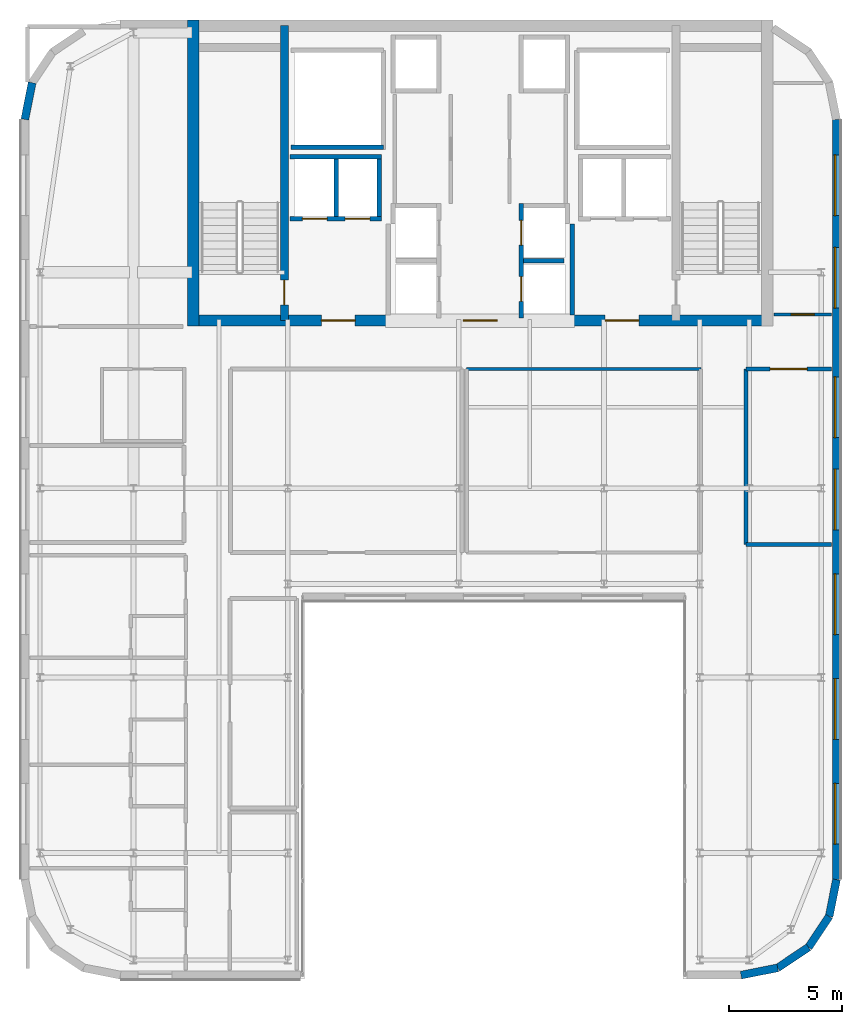
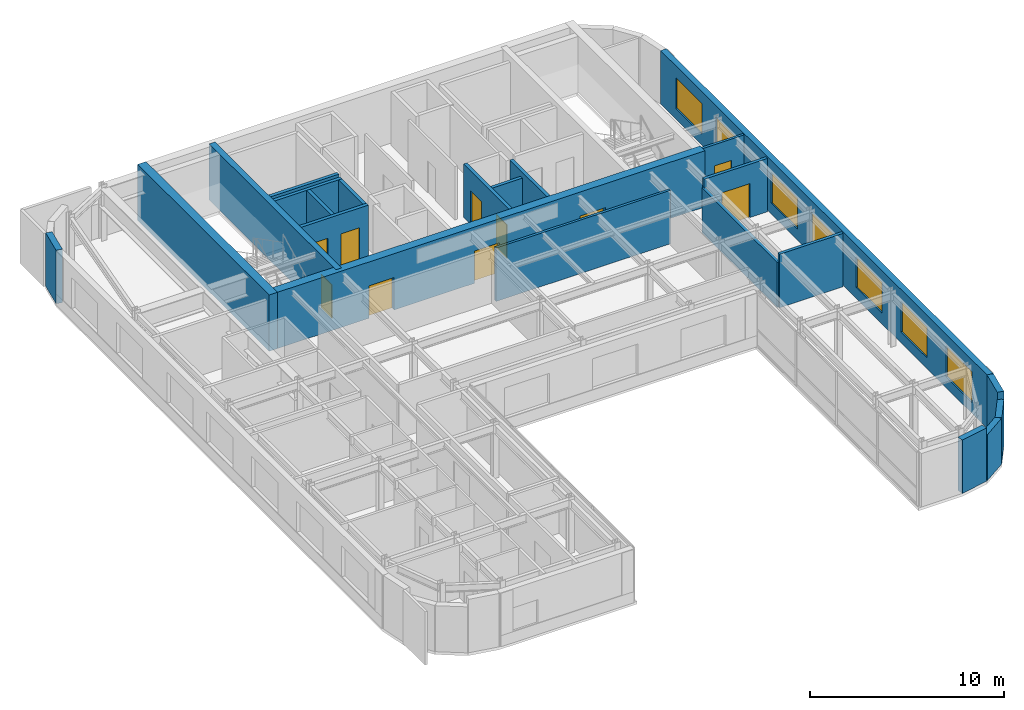
# One storey, part 15 of 20: 22 walls, 10 doors, 7 windows, 17 openings.
"""IFC4 building model written with IfcOpenShell, lengths in metres."""

import ifcopenshell
import ifcopenshell.guid

model = None  # the IFC model being written
_history = None  # IfcOwnerHistory: only IFC2X3 demands one
_inside = {}  # id of a spatial element -> (the spatial element, [elements in it])
_under = {}  # id of a project, library or spatial element -> (it, [spatial elements below it])
_declared = {}  # id of a project -> (the project, [libraries it declares])
_typed = {}  # id of a type object -> (the type object, [elements of that type])
_made_of = {}  # id of a material, layer set ... -> (it, [elements and type objects made of it])


def new_model(schema):
    """Start an empty IFC model of exactly this schema.

    Asked for "IFC4X3", IfcOpenShell would pick the latest addendum, in which some entities
    have other attributes; the version numbers below select the first issue.
    IFC2X3 requires an IfcOwnerHistory on every rooted entity: one is made here for all.
    """
    global model, _history
    if schema == "IFC4X3":
        model = ifcopenshell.file(schema_version=(4, 3, 0, 0))
    else:
        model = ifcopenshell.file(schema=schema)
    _inside.clear()
    _under.clear()
    _declared.clear()
    _typed.clear()
    _made_of.clear()
    _history = None
    if model.schema == "IFC2X3":
        org = make("IfcOrganization", Name="unknown")
        user = make(
            "IfcPersonAndOrganization",
            ThePerson=make("IfcPerson", FamilyName="unknown"),
            TheOrganization=org,
        )
        app = make(
            "IfcApplication",
            ApplicationDeveloper=org,
            Version="unknown",
            ApplicationFullName="unknown",
            ApplicationIdentifier="unknown",
        )
        _history = make(
            "IfcOwnerHistory",
            OwningUser=user,
            OwningApplication=app,
            ChangeAction="ADDED",
            CreationDate=0,
        )
    return model


def make(cls, **values):
    """One entity of the class cls with the attributes given. An attribute that is None is left unset."""
    return model.create_entity(
        cls, **{name: value for name, value in values.items() if value is not None}
    )


def rooted(cls, **values):
    """An entity with a GlobalId (a new one), such as an element, a storey or a relation."""
    return make(cls, GlobalId=ifcopenshell.guid.new(), OwnerHistory=_history, **values)


def si_unit(unit_type, name, prefix=None):
    """IfcSIUnit, for example si_unit("LENGTHUNIT", "METRE", prefix="MILLI")."""
    return make("IfcSIUnit", UnitType=unit_type, Prefix=prefix, Name=name)


def assignment(units):
    """IfcUnitAssignment: the units of a project."""
    return None if units is None else make("IfcUnitAssignment", Units=units)


def point(xyz):
    """IfcCartesianPoint."""
    return None if xyz is None else make("IfcCartesianPoint", Coordinates=xyz)


def direction(xyz):
    """IfcDirection."""
    return None if xyz is None else make("IfcDirection", DirectionRatios=xyz)


def frame(location, z_axis=None, x_axis=None):
    """IfcAxis2Placement3D, a coordinate frame: its origin and axes. An axis left out is left unset."""
    return make(
        "IfcAxis2Placement3D",
        Location=point(location),
        Axis=direction(z_axis),
        RefDirection=direction(x_axis),
    )


def frame_2d(location, x_axis=None):
    """IfcAxis2Placement2D, a coordinate frame in the plane: its origin and x axis."""
    return make(
        "IfcAxis2Placement2D", Location=point(location), RefDirection=direction(x_axis)
    )


def origin():
    """The frame at (0, 0, 0) with its axes left unset."""
    return frame((0.0, 0.0, 0.0))


def place(relative_to, where):
    """IfcLocalPlacement: puts the frame where relative to a parent placement (None: the world)."""
    return make(
        "IfcLocalPlacement", PlacementRelTo=relative_to, RelativePlacement=where
    )


def context(
    kind, dimensions, precision=None, world=None, true_north=None, identifier=None
):
    """IfcGeometricRepresentationContext, for example the 3D "Model" context."""
    return make(
        "IfcGeometricRepresentationContext",
        ContextIdentifier=identifier,
        ContextType=kind,
        CoordinateSpaceDimension=dimensions,
        Precision=precision,
        WorldCoordinateSystem=world,
        TrueNorth=true_north,
    )


def subcontext(parent, identifier, kind, view, scale=None):
    """IfcGeometricRepresentationSubContext, for example "Body" below "Model"."""
    return make(
        "IfcGeometricRepresentationSubContext",
        ContextIdentifier=identifier,
        ContextType=kind,
        ParentContext=parent,
        TargetScale=scale,
        TargetView=view,
    )


def project(units=None, contexts=None):
    """IfcProject with its units and contexts."""
    return rooted(
        "IfcProject",
        Name="project",
        RepresentationContexts=contexts,
        UnitsInContext=assignment(units),
    )


def spatial(cls, under=None, at=None, **own):
    """A site, building, storey or space (cls), placed at a placement, below another one or the project."""
    s = rooted(cls, ObjectPlacement=at, **own)
    if under is not None:
        _under.setdefault(under.id(), (under, []))[1].append(s)
    return s


def profile(cls, at=None, kind="AREA", **sizes):
    """A parametric profile (cls). Its sizes go by their IFC names, for example OverallWidth=200.0."""
    return make(cls, ProfileType=kind, Position=at, **sizes)


def rectangle(**sizes):
    """IfcRectangleProfileDef."""
    return profile("IfcRectangleProfileDef", **sizes)


def extrude(swept, where, along, depth):
    """IfcExtrudedAreaSolid: the profile swept, set in the frame where, extruded along a direction by depth."""
    return make(
        "IfcExtrudedAreaSolid",
        SweptArea=swept,
        Position=where,
        ExtrudedDirection=direction(along),
        Depth=depth,
    )


def shape(context_of_items, identifier, shape_type, items):
    """IfcShapeRepresentation: the items that make up one representation, for example the "Body"."""
    return make(
        "IfcShapeRepresentation",
        ContextOfItems=context_of_items,
        RepresentationIdentifier=identifier,
        RepresentationType=shape_type,
        Items=items,
    )


def source(mapping_origin, context_of_items, identifier, shape_type, items):
    """IfcRepresentationMap: a shape defined once, which mapped items show again and again."""
    return make(
        "IfcRepresentationMap",
        MappingOrigin=mapping_origin,
        MappedRepresentation=shape(context_of_items, identifier, shape_type, items),
    )


def transform(
    local_origin,
    x_axis=None,
    y_axis=None,
    z_axis=None,
    scale=None,
    scale2=None,
    scale3=None,
    uniform=True,
):
    """IfcCartesianTransformationOperator3D, or its non-uniform kind. x_axis, y_axis, z_axis: its Axis1, 2, 3."""
    if uniform:
        return make(
            "IfcCartesianTransformationOperator3D",
            Axis1=direction(x_axis),
            Axis2=direction(y_axis),
            LocalOrigin=point(local_origin),
            Scale=scale,
            Axis3=direction(z_axis),
        )
    return make(
        "IfcCartesianTransformationOperator3DnonUniform",
        Axis1=direction(x_axis),
        Axis2=direction(y_axis),
        LocalOrigin=point(local_origin),
        Scale=scale,
        Axis3=direction(z_axis),
        Scale2=scale2,
        Scale3=scale3,
    )


def mapped(mapping_source, mapping_target):
    """IfcMappedItem: shows the shape of a source again, moved by a transform."""
    return make(
        "IfcMappedItem", MappingSource=mapping_source, MappingTarget=mapping_target
    )


def material(Name=None, Category=None):
    """IfcMaterial."""
    return make("IfcMaterial", Name=Name, Category=Category)


def layer(
    of_material, thickness, ventilated=None, Name=None, Category=None, Priority=None
):
    """IfcMaterialLayer: one layer of a wall or slab, of a material (None: an air gap)."""
    return make(
        "IfcMaterialLayer",
        Material=of_material,
        LayerThickness=thickness,
        IsVentilated=ventilated,
        Name=Name,
        Category=Category,
        Priority=Priority,
    )


def layer_set(layers, Name=None):
    """IfcMaterialLayerSet."""
    return make("IfcMaterialLayerSet", MaterialLayers=layers, LayerSetName=Name)


def made_of(thing, what):
    """Note that an element or type object is made of a material, layer set ...; save() writes the relation."""
    if what is not None:
        _made_of.setdefault(what.id(), (what, []))[1].append(thing)
    return thing


def type_object(cls, material=None, **own):
    """A type object (cls), such as IfcWallType, which elements share."""
    return made_of(rooted(cls, **own), material)


def type_shapes(of_type, sources):
    """Give a type object the sources (RepresentationMaps) that its elements show as mapped items."""
    of_type.RepresentationMaps = sources


def element(
    cls,
    number,
    at=None,
    inside=None,
    cuts=None,
    type_object=None,
    material=None,
    context=None,
    identifier="Body",
    shape_type=None,
    held_by="IfcProductDefinitionShape",
    body=None,
    shapes=None,
    **own,
):
    """One element of the class cls, such as IfcWall. Its Tag is "e" and its number.

    at: its placement. inside: the storey or other place that contains it. cuts: it is an
    opening in that element (IfcRelVoidsElement). A single representation is given by context,
    identifier, shape_type and body (its items); several are given by shapes. held_by: the class
    of the entity that holds the representations. save() writes the other relations.
    """
    e = rooted(cls, Tag="e%d" % number, ObjectPlacement=at, **own)
    if body is not None:
        shapes = [shape(context, identifier, shape_type, body)]
    if shapes is not None:
        e.Representation = make(held_by, Representations=shapes)
    if inside is not None:
        _inside.setdefault(inside.id(), (inside, []))[1].append(e)
    if cuts is not None:
        rooted(
            "IfcRelVoidsElement", RelatingBuildingElement=cuts, RelatedOpeningElement=e
        )
    if type_object is not None:
        _typed.setdefault(type_object.id(), (type_object, []))[1].append(e)
    return made_of(e, material)


def fill(opening, filler):
    """IfcRelFillsElement: the door or window that sits in an opening."""
    return rooted(
        "IfcRelFillsElement",
        RelatingOpeningElement=opening,
        RelatedBuildingElement=filler,
    )


def aggregate(whole, parts):
    """IfcRelAggregates: a whole, such as a stair, and the parts it consists of."""
    return rooted("IfcRelAggregates", RelatingObject=whole, RelatedObjects=parts)


def save(model, path):
    """Write the relations noted so far, then the file.

    IfcRelAggregates (storeys below a building ...), IfcRelContainedInSpatialStructure (elements
    in a storey), IfcRelDefinesByType, IfcRelAssociatesMaterial and IfcRelDeclares: one each for
    every whole, place, type object, material and project.
    """
    for whole, parts in _under.values():
        aggregate(whole, parts)
    for where, things in _inside.values():
        rooted(
            "IfcRelContainedInSpatialStructure",
            RelatedElements=things,
            RelatingStructure=where,
        )
    for kind, things in _typed.values():
        rooted("IfcRelDefinesByType", RelatedObjects=things, RelatingType=kind)
    for what, things in _made_of.values():
        rooted("IfcRelAssociatesMaterial", RelatedObjects=things, RelatingMaterial=what)
    for by, libraries in _declared.values():
        rooted("IfcRelDeclares", RelatingContext=by, RelatedDefinitions=libraries)
    model.write(path)


model = new_model("IFC4")

# Units and contexts
model_context = context("Model", 3, precision=1e-05, world=origin(), true_north=direction((0.0, 1.0)))
body_context = subcontext(model_context, "Body", "Model", "MODEL_VIEW")
ifc_project = project(units=[si_unit("LENGTHUNIT", "METRE"), si_unit("AREAUNIT", "SQUARE_METRE"), si_unit("VOLUMEUNIT", "CUBIC_METRE"), si_unit("PLANEANGLEUNIT", "RADIAN"), si_unit("MASSUNIT", "GRAM", prefix="KILO")], contexts=[model_context])

# Site, building, storey
site_placement = place(None, origin())
site = spatial("IfcSite", under=ifc_project, at=site_placement, CompositionType="ELEMENT")
building_placement = place(site_placement, origin())
building = spatial("IfcBuilding", under=site, at=building_placement, Name="Tolvann Quenvar Hotel", CompositionType="ELEMENT")
storey_placement = place(building_placement, frame((0.0, 0.0, 248.75)))
storey = spatial("IfcBuildingStorey", under=building, at=storey_placement, Name="L66", CompositionType="ELEMENT", Elevation=248.75)

# Wall, openings, doors
ifc_material_1 = material(Name="Concrete N50 (50 MPa)", Category="concrete")
ifc_layer_1 = layer(ifc_material_1, 0.5)
ifc_layer_set_1 = layer_set([ifc_layer_1], Name="Concrete N50 (50 MPa)")
wall_type_1 = type_object("IfcWallType", Name="WALL_CORE_500", PredefinedType="SHEAR", material=ifc_layer_set_1)
wall_1_placement = place(storey_placement, frame((10.0, 31.85009765625, 0.0), z_axis=(0.0, 0.0, 1.0), x_axis=(1.0, 0.0, 0.0)))
wall_1 = element("IfcWall", 1, at=wall_1_placement, inside=storey, type_object=wall_type_1, Name="Rear Core S Shear Wall (L66)", PredefinedType="SHEAR", context=body_context, shape_type="SweptSolid", body=[
    extrude(rectangle(XDim=26.0, YDim=0.5, at=frame_2d((13.0, 0.0))), origin(), (0.0, 0.0, 1.0), 3.550048828125),
])
opening_1_placement = place(wall_1_placement, frame((7.449951171875, 0.0, 0.0), z_axis=(0.0, 0.0, 1.0), x_axis=(-1.0, 0.0, 0.0)))
opening_1 = element("IfcOpeningElement", 2, at=opening_1_placement, cuts=wall_1, Name="Opening FD-60D", PredefinedType="OPENING", context=body_context, shape_type="SweptSolid", body=[
    extrude(rectangle(XDim=1.5, YDim=2.0400390625, at=frame_2d((0.75, 1.02001953125))), frame((0.0, 0.260009765625, 0.0), z_axis=(0.0, -1.0, 0.0), x_axis=(1.0, 0.0, 0.0)), (0.0, 0.0, 1.0), 0.52001953125),
])
opening_2_placement = place(wall_1_placement, frame((13.75, 0.0, 0.0), z_axis=(0.0, 0.0, 1.0), x_axis=(-1.0, 0.0, 0.0)))
opening_2 = element("IfcOpeningElement", 3, at=opening_2_placement, cuts=wall_1, Name="Opening FD-60D", PredefinedType="OPENING", context=body_context, shape_type="SweptSolid", body=[
    extrude(rectangle(XDim=1.5, YDim=2.0400390625, at=frame_2d((0.75, 1.02001953125))), frame((0.0, 0.260009765625, 0.0), z_axis=(0.0, -1.0, 0.0), x_axis=(1.0, 0.0, 0.0)), (0.0, 0.0, 1.0), 0.52001953125),
])
opening_3_placement = place(wall_1_placement, frame((20.050048828125, 0.0, 0.0), z_axis=(0.0, 0.0, 1.0), x_axis=(-1.0, 0.0, 0.0)))
opening_3 = element("IfcOpeningElement", 4, at=opening_3_placement, cuts=wall_1, Name="Opening FD-60D", PredefinedType="OPENING", context=body_context, shape_type="SweptSolid", body=[
    extrude(rectangle(XDim=1.5, YDim=2.0400390625, at=frame_2d((0.75, 1.02001953125))), frame((0.0, 0.260009765625, 0.0), z_axis=(0.0, -1.0, 0.0), x_axis=(1.0, 0.0, 0.0)), (0.0, 0.0, 1.0), 0.52001953125),
])
ifc_material_2 = material(Name="Solid-core American oak acoustic fire door leaf in steel frame", Category="steel")
door_type_1 = type_object("IfcDoorType", Name="DOOR_FIRE_LOBBY_1500", OperationType="NOTDEFINED", PredefinedType="DOOR", material=ifc_material_2)
shared_shape_1 = source(origin(), body_context, "Body", "SweptSolid", [
    extrude(rectangle(XDim=1.5, YDim=2.0400390625, at=frame_2d((0.75, 1.02001953125))), frame((0.0, 0.02490234375, 0.0), z_axis=(0.0, -1.0, 0.0), x_axis=(1.0, 0.0, 0.0)), (0.0, 0.0, 1.0), 0.050048828125),
])
type_shapes(door_type_1, [shared_shape_1])
door_1_placement = place(opening_1_placement, origin())
door_1 = element("IfcDoor", 5, at=door_1_placement, inside=storey, type_object=door_type_1, Name="Core Lobby Fire Door FFW (L66)", OperationType="DOUBLE_DOOR_SINGLE_SWING", OverallHeight=2.0400390625, OverallWidth=1.5, PredefinedType="DOOR", context=body_context, shape_type="MappedRepresentation", body=[
    mapped(shared_shape_1, transform((0.0, 0.0, 0.0), x_axis=(1.0, 0.0, 0.0), y_axis=(0.0, 1.0, 0.0), z_axis=(0.0, 0.0, 1.0), scale=1.0)),
])
fill(opening_1, door_1)
door_2_placement = place(opening_2_placement, origin())
door_2 = element("IfcDoor", 6, at=door_2_placement, inside=storey, type_object=door_type_1, Name="Core Lobby Fire Door CLOB (L66)", OperationType="DOUBLE_DOOR_SINGLE_SWING", OverallHeight=2.0400390625, OverallWidth=1.5, PredefinedType="DOOR", context=body_context, shape_type="MappedRepresentation", body=[
    mapped(shared_shape_1, transform((0.0, 0.0, 0.0), x_axis=(1.0, 0.0, 0.0), y_axis=(0.0, 1.0, 0.0), z_axis=(0.0, 0.0, 1.0), scale=1.0)),
])
fill(opening_2, door_2)
door_3_placement = place(opening_3_placement, origin())
door_3 = element("IfcDoor", 7, at=door_3_placement, inside=storey, type_object=door_type_1, Name="Core Lobby Fire Door FFE (L66)", OperationType="DOUBLE_DOOR_SINGLE_SWING", OverallHeight=2.0400390625, OverallWidth=1.5, PredefinedType="DOOR", context=body_context, shape_type="MappedRepresentation", body=[
    mapped(shared_shape_1, transform((0.0, 0.0, 0.0), x_axis=(1.0, 0.0, 0.0), y_axis=(0.0, 1.0, 0.0), z_axis=(0.0, 0.0, 1.0), scale=1.0)),
])
fill(opening_3, door_3)

# Wall
wall_2_placement = place(storey_placement, frame((10.25, 31.60009765625, 0.0), z_axis=(0.0, 0.0, 1.0), x_axis=(0.0, 1.0, 0.0)))
element("IfcWall", 8, at=wall_2_placement, inside=storey, type_object=wall_type_1, Name="Rear Core W Shear Wall (L66)", PredefinedType="SHEAR", context=body_context, shape_type="SweptSolid", body=[
    extrude(rectangle(XDim=13.599853515625, YDim=0.5, at=frame_2d((6.7998046875, 0.0))), origin(), (0.0, 0.0, 1.0), 3.550048828125),
])

# Wall, opening, door
ifc_material_3 = material(Name="Concrete S65 (65 MPa)", Category="concrete")
ifc_layer_2 = layer(ifc_material_3, 0.35009765625)
ifc_layer_set_2 = layer_set([ifc_layer_2], Name="Concrete S65 (65 MPa)")
wall_type_2 = type_object("IfcWallType", Name="WALL_CORE_INT_350", PredefinedType="SHEAR", material=ifc_layer_set_2)
wall_3_placement = place(storey_placement, frame((14.300048828125, 31.85009765625, 0.0), z_axis=(0.0, 0.0, 1.0), x_axis=(0.0, 1.0, 0.0)))
wall_3 = element("IfcWall", 9, at=wall_3_placement, inside=storey, type_object=wall_type_2, Name="Core Internal Web Shear Wall WEB-W (L66)", PredefinedType="SHEAR", context=body_context, shape_type="SweptSolid", body=[
    extrude(rectangle(XDim=13.099853515625, YDim=0.35009765625, at=frame_2d((6.5498046875, 0.0))), origin(), (0.0, 0.0, 1.0), 3.550048828125),
])
opening_4_placement = place(wall_3_placement, frame((0.699951171875, 0.0, 0.0)))
opening_4 = element("IfcOpeningElement", 10, at=opening_4_placement, cuts=wall_3, Name="Opening FD-120", PredefinedType="OPENING", context=body_context, shape_type="SweptSolid", body=[
    extrude(rectangle(XDim=1.10009765625, YDim=2.1201171875, at=frame_2d((0.550048828125, 1.06005859375))), frame((0.0, 0.18505859375, 0.0), z_axis=(0.0, -1.0, 0.0), x_axis=(1.0, 0.0, 0.0)), (0.0, 0.0, 1.0), 0.3701171875),
])
ifc_material_4 = material(Name="Pressed galvanised steel fire-rated door set", Category="steel")
door_type_2 = type_object("IfcDoorType", Name="DOOR_FIRE_STAIR_1100", OperationType="NOTDEFINED", PredefinedType="DOOR", material=ifc_material_4)
shared_shape_2 = source(origin(), body_context, "Body", "SweptSolid", [
    extrude(rectangle(XDim=1.10009765625, YDim=2.1201171875, at=frame_2d((0.550048828125, 1.06005859375))), frame((0.0, 0.02490234375, 0.0), z_axis=(0.0, -1.0, 0.0), x_axis=(1.0, 0.0, 0.0)), (0.0, 0.0, 1.0), 0.050048828125),
])
type_shapes(door_type_2, [shared_shape_2])
door_4_placement = place(opening_4_placement, origin())
door_4 = element("IfcDoor", 11, at=door_4_placement, inside=storey, type_object=door_type_2, Name="Exit Stair ST-C1 Fire Door (L66)", OperationType="SINGLE_SWING_LEFT", OverallHeight=2.1201171875, OverallWidth=1.10009765625, PredefinedType="DOOR", context=body_context, shape_type="MappedRepresentation", body=[
    mapped(shared_shape_2, transform((0.0, 0.0, 0.0), x_axis=(1.0, 0.0, 0.0), y_axis=(0.0, 1.0, 0.0), z_axis=(0.0, 0.0, 1.0), scale=1.0)),
])
fill(opening_4, door_4)

# Walls
ifc_material_5 = material(Name="Kiln-fired red and buff architectural clay brickwork and terracotta masonry", Category="masonry")
ifc_layer_3 = layer(ifc_material_5, 0.35009765625)
ifc_layer_set_3 = layer_set([ifc_layer_3], Name="Kiln-fired red and buff architectural clay brickwork and terracotta masonry")
wall_type_3 = type_object("IfcWallType", Name="WALL_EXT_BRICK_350", PredefinedType="SOLIDWALL", material=ifc_layer_set_3)
wall_4_placement = place(storey_placement, frame((34.582763671875, 2.77490234375, 0.0), z_axis=(0.0, 0.0, 1.0), x_axis=(0.980794424524, 0.195044345786, 0.0)))
element("IfcWall", 12, at=wall_4_placement, inside=storey, type_object=wall_type_3, Name="Exterior Chicago Brick Wall L66-E09", PredefinedType="SOLIDWALL", context=body_context, shape_type="SweptSolid", body=[
    extrude(rectangle(XDim=1.664794921875, YDim=0.35009765625, at=frame_2d((0.83251953125, 0.0))), origin(), (0.0, 0.0, 1.0), 3.3701171875),
])
for number, where, z_axis, x_axis, name in (
    (13, (36.215576171875, 3.099609375, 0.0), (0.0, 0.0, 1.0), (0.831434158098, 0.555623290322, 0.0), "Exterior Chicago Brick Wall L66-E10"),
    (14, (37.585205078125, 4.014892578125, 0.0), (0.0, 0.0, 1.0), (0.555520825599, 0.831502623162, 0.0), "Exterior Chicago Brick Wall L66-E11"),
):
    element("IfcWall", number, at=place(storey_placement, frame(where, z_axis=z_axis, x_axis=x_axis)), inside=storey, type_object=wall_type_3, Name=name, PredefinedType="SOLIDWALL", context=body_context, shape_type="SweptSolid", body=[
        extrude(rectangle(XDim=1.647216796875, YDim=0.35009765625, at=frame_2d((0.82373046875, 0.0))), origin(), (0.0, 0.0, 1.0), 2.89990234375),
    ])
wall_5_placement = place(storey_placement, frame((38.500244140625, 5.384521484375, 0.0), z_axis=(0.0, 0.0, 1.0), x_axis=(0.195072403631, 0.980788844421, 0.0)))
element("IfcWall", 15, at=wall_5_placement, inside=storey, type_object=wall_type_3, Name="Exterior Chicago Brick Wall L66-E12", PredefinedType="SOLIDWALL", context=body_context, shape_type="SweptSolid", body=[
    extrude(rectangle(XDim=1.66455078125, YDim=0.35009765625, at=frame_2d((0.832275390625, 0.0))), origin(), (0.0, 0.0, 1.0), 3.3701171875),
])

# Wall, openings, windows
wall_6_placement = place(storey_placement, frame((38.824951171875, 7.01708984375, 0.0), z_axis=(0.0, 0.0, 1.0), x_axis=(0.0, 1.0, 0.0)))
wall_6 = element("IfcWall", 16, at=wall_6_placement, inside=storey, type_object=wall_type_3, Name="Exterior Chicago Brick Wall L66-E13", PredefinedType="SOLIDWALL", context=body_context, shape_type="SweptSolid", body=[
    extrude(rectangle(XDim=33.765625, YDim=0.35009765625, at=frame_2d((16.8828125, 0.0))), origin(), (0.0, 0.0, 1.0), 3.3701171875),
])
opening_5_placement = place(wall_6_placement, frame((1.575927734375, 0.0, 0.679931640625)))
opening_5 = element("IfcOpeningElement", 17, at=opening_5_placement, cuts=wall_6, Name="Opening W-04", PredefinedType="OPENING", context=body_context, shape_type="SweptSolid", body=[
    extrude(rectangle(XDim=2.699951171875, YDim=1.949951171875, at=frame_2d((1.35009765625, 0.97509765625))), frame((0.0, 0.18505859375, 0.0), z_axis=(0.0, -1.0, 0.0), x_axis=(1.0, 0.0, 0.0)), (0.0, 0.0, 1.0), 0.3701171875),
])
opening_6_placement = place(wall_6_placement, frame((6.22802734375, 0.0, 0.679931640625)))
opening_6 = element("IfcOpeningElement", 18, at=opening_6_placement, cuts=wall_6, Name="Opening W-04", PredefinedType="OPENING", context=body_context, shape_type="SweptSolid", body=[
    extrude(rectangle(XDim=2.699951171875, YDim=1.949951171875, at=frame_2d((1.35009765625, 0.97509765625))), frame((0.0, 0.18505859375, 0.0), z_axis=(0.0, -1.0, 0.0), x_axis=(1.0, 0.0, 0.0)), (0.0, 0.0, 1.0), 0.3701171875),
])
opening_7_placement = place(wall_6_placement, frame((10.881103515625, 0.0, 0.679931640625)))
opening_7 = element("IfcOpeningElement", 19, at=opening_7_placement, cuts=wall_6, Name="Opening W-04", PredefinedType="OPENING", context=body_context, shape_type="SweptSolid", body=[
    extrude(rectangle(XDim=2.699951171875, YDim=1.949951171875, at=frame_2d((1.35009765625, 0.97509765625))), frame((0.0, 0.18505859375, 0.0), z_axis=(0.0, -1.0, 0.0), x_axis=(1.0, 0.0, 0.0)), (0.0, 0.0, 1.0), 0.3701171875),
])
opening_8_placement = place(wall_6_placement, frame((15.532958984375, 0.0, 0.679931640625)))
opening_8 = element("IfcOpeningElement", 20, at=opening_8_placement, cuts=wall_6, Name="Opening W-04", PredefinedType="OPENING", context=body_context, shape_type="SweptSolid", body=[
    extrude(rectangle(XDim=2.699951171875, YDim=1.949951171875, at=frame_2d((1.35009765625, 0.97509765625))), frame((0.0, 0.18505859375, 0.0), z_axis=(0.0, -1.0, 0.0), x_axis=(1.0, 0.0, 0.0)), (0.0, 0.0, 1.0), 0.3701171875),
])
opening_9_placement = place(wall_6_placement, frame((19.635009765625, 0.0, 0.679931640625)))
opening_9 = element("IfcOpeningElement", 21, at=opening_9_placement, cuts=wall_6, Name="Opening W-04", PredefinedType="OPENING", context=body_context, shape_type="SweptSolid", body=[
    extrude(rectangle(XDim=2.699951171875, YDim=1.949951171875, at=frame_2d((1.35009765625, 0.97509765625))), frame((0.0, 0.18505859375, 0.0), z_axis=(0.0, -1.0, 0.0), x_axis=(1.0, 0.0, 0.0)), (0.0, 0.0, 1.0), 0.3701171875),
])
opening_10_placement = place(wall_6_placement, frame((25.386962890625, 0.0, 0.679931640625)))
opening_10 = element("IfcOpeningElement", 22, at=opening_10_placement, cuts=wall_6, Name="Opening W-04", PredefinedType="OPENING", context=body_context, shape_type="SweptSolid", body=[
    extrude(rectangle(XDim=2.699951171875, YDim=1.949951171875, at=frame_2d((1.35009765625, 0.97509765625))), frame((0.0, 0.18505859375, 0.0), z_axis=(0.0, -1.0, 0.0), x_axis=(1.0, 0.0, 0.0)), (0.0, 0.0, 1.0), 0.3701171875),
])
opening_11_placement = place(wall_6_placement, frame((29.489013671875, 0.0, 0.679931640625)))
opening_11 = element("IfcOpeningElement", 23, at=opening_11_placement, cuts=wall_6, Name="Opening W-04", PredefinedType="OPENING", context=body_context, shape_type="SweptSolid", body=[
    extrude(rectangle(XDim=2.699951171875, YDim=1.949951171875, at=frame_2d((1.35009765625, 0.97509765625))), frame((0.0, 0.18505859375, 0.0), z_axis=(0.0, -1.0, 0.0), x_axis=(1.0, 0.0, 0.0)), (0.0, 0.0, 1.0), 0.3701171875),
])
ifc_material_6 = material(Name="Thermally broken bronze-anodised aluminium frame with double low-E glazing", Category="aluminium")
window_type = type_object("IfcWindowType", Name="WIN_STE_2700x2150", PartitioningType="TRIPLE_PANEL_HORIZONTAL", PredefinedType="WINDOW", material=ifc_material_6)
shared_shape_3 = source(origin(), body_context, "Body", "SweptSolid", [
    extrude(rectangle(XDim=2.699951171875, YDim=1.949951171875, at=frame_2d((1.35009765625, 0.97509765625))), frame((0.0, 0.090087890625, 0.0), z_axis=(0.0, -1.0, 0.0), x_axis=(1.0, 0.0, 0.0)), (0.0, 0.0, 1.0), 0.06005859375),
])
type_shapes(window_type, [shared_shape_3])
window_1_placement = place(opening_5_placement, origin())
window_1 = element("IfcWindow", 24, at=window_1_placement, inside=storey, type_object=window_type, Name="Chicago Window W-04 (EW-L66-E13-W01)", OverallHeight=1.949951171875, OverallWidth=2.699951171875, PartitioningType="TRIPLE_PANEL_HORIZONTAL", PredefinedType="WINDOW", context=body_context, shape_type="MappedRepresentation", body=[
    mapped(shared_shape_3, transform((0.0, 0.0, 0.0), x_axis=(1.0, 0.0, 0.0), y_axis=(0.0, 1.0, 0.0), z_axis=(0.0, 0.0, 1.0), scale=1.0)),
])
fill(opening_5, window_1)
window_2_placement = place(opening_6_placement, origin())
window_2 = element("IfcWindow", 25, at=window_2_placement, inside=storey, type_object=window_type, Name="Chicago Window W-04 (EW-L66-E13-W02)", OverallHeight=1.949951171875, OverallWidth=2.699951171875, PartitioningType="TRIPLE_PANEL_HORIZONTAL", PredefinedType="WINDOW", context=body_context, shape_type="MappedRepresentation", body=[
    mapped(shared_shape_3, transform((0.0, 0.0, 0.0), x_axis=(1.0, 0.0, 0.0), y_axis=(0.0, 1.0, 0.0), z_axis=(0.0, 0.0, 1.0), scale=1.0)),
])
fill(opening_6, window_2)
window_3_placement = place(opening_7_placement, origin())
window_3 = element("IfcWindow", 26, at=window_3_placement, inside=storey, type_object=window_type, Name="Chicago Window W-04 (EW-L66-E13-W03)", OverallHeight=1.949951171875, OverallWidth=2.699951171875, PartitioningType="TRIPLE_PANEL_HORIZONTAL", PredefinedType="WINDOW", context=body_context, shape_type="MappedRepresentation", body=[
    mapped(shared_shape_3, transform((0.0, 0.0, 0.0), x_axis=(1.0, 0.0, 0.0), y_axis=(0.0, 1.0, 0.0), z_axis=(0.0, 0.0, 1.0), scale=1.0)),
])
fill(opening_7, window_3)
window_4_placement = place(opening_8_placement, origin())
window_4 = element("IfcWindow", 27, at=window_4_placement, inside=storey, type_object=window_type, Name="Chicago Window W-04 (EW-L66-E13-W04)", OverallHeight=1.949951171875, OverallWidth=2.699951171875, PartitioningType="TRIPLE_PANEL_HORIZONTAL", PredefinedType="WINDOW", context=body_context, shape_type="MappedRepresentation", body=[
    mapped(shared_shape_3, transform((0.0, 0.0, 0.0), x_axis=(1.0, 0.0, 0.0), y_axis=(0.0, 1.0, 0.0), z_axis=(0.0, 0.0, 1.0), scale=1.0)),
])
fill(opening_8, window_4)
window_5_placement = place(opening_9_placement, origin())
window_5 = element("IfcWindow", 28, at=window_5_placement, inside=storey, type_object=window_type, Name="Chicago Window W-04 (EW-L66-E13-W05)", OverallHeight=1.949951171875, OverallWidth=2.699951171875, PartitioningType="TRIPLE_PANEL_HORIZONTAL", PredefinedType="WINDOW", context=body_context, shape_type="MappedRepresentation", body=[
    mapped(shared_shape_3, transform((0.0, 0.0, 0.0), x_axis=(1.0, 0.0, 0.0), y_axis=(0.0, 1.0, 0.0), z_axis=(0.0, 0.0, 1.0), scale=1.0)),
])
fill(opening_9, window_5)
window_6_placement = place(opening_10_placement, origin())
window_6 = element("IfcWindow", 29, at=window_6_placement, inside=storey, type_object=window_type, Name="Chicago Window W-04 (EW-L66-E13-W06)", OverallHeight=1.949951171875, OverallWidth=2.699951171875, PartitioningType="TRIPLE_PANEL_HORIZONTAL", PredefinedType="WINDOW", context=body_context, shape_type="MappedRepresentation", body=[
    mapped(shared_shape_3, transform((0.0, 0.0, 0.0), x_axis=(1.0, 0.0, 0.0), y_axis=(0.0, 1.0, 0.0), z_axis=(0.0, 0.0, 1.0), scale=1.0)),
])
fill(opening_10, window_6)
window_7_placement = place(opening_11_placement, origin())
window_7 = element("IfcWindow", 30, at=window_7_placement, inside=storey, type_object=window_type, Name="Chicago Window W-04 (EW-L66-E13-W07)", OverallHeight=1.949951171875, OverallWidth=2.699951171875, PartitioningType="TRIPLE_PANEL_HORIZONTAL", PredefinedType="WINDOW", context=body_context, shape_type="MappedRepresentation", body=[
    mapped(shared_shape_3, transform((0.0, 0.0, 0.0), x_axis=(1.0, 0.0, 0.0), y_axis=(0.0, 1.0, 0.0), z_axis=(0.0, 0.0, 1.0), scale=1.0)),
])
fill(opening_11, window_7)

# Walls
wall_7_placement = place(storey_placement, frame((3.099609375, 42.41552734375, 0.0), z_axis=(0.0, 0.0, 1.0), x_axis=(-0.195044345786, -0.980794424524, 0.0)))
element("IfcWall", 31, at=wall_7_placement, inside=storey, type_object=wall_type_3, Name="Exterior Chicago Brick Wall L66-E22", PredefinedType="SOLIDWALL", context=body_context, shape_type="SweptSolid", body=[
    extrude(rectangle(XDim=1.664794921875, YDim=0.35009765625, at=frame_2d((0.83251953125, 0.0))), origin(), (0.0, 0.0, 1.0), 3.3701171875),
])
ifc_material_7 = material(Name="Acoustic twin-stud fire-rated gypsum plasterboard partition")
ifc_layer_4 = layer(ifc_material_7, 0.179931640625)
ifc_layer_set_4 = layer_set([ifc_layer_4], Name="Acoustic twin-stud fire-rated gypsum plasterboard partition")
wall_type_4 = type_object("IfcWallType", Name="WALL_PART_ACOUSTIC_180", PredefinedType="PARTITIONING", material=ifc_layer_set_4)
wall_8_placement = place(storey_placement, frame((34.800048828125, 21.89990234375, 0.0), z_axis=(0.0, 0.0, 1.0), x_axis=(1.0, 0.0, 0.0)))
element("IfcWall", 32, at=wall_8_placement, inside=storey, type_object=wall_type_4, Name="Interior Partition PT-SPC-L66-PNE1-S", PredefinedType="PARTITIONING", context=body_context, shape_type="SweptSolid", body=[
    extrude(rectangle(XDim=3.794921875, YDim=0.179931640625, at=frame_2d((1.8974609375, 0.0))), origin(), (0.0, 0.0, 1.0), 3.3701171875),
])

# Wall, opening, door
wall_9_placement = place(storey_placement, frame((34.800048828125, 29.699951171875, 0.0), z_axis=(0.0, 0.0, 1.0), x_axis=(1.0, 0.0, 0.0)))
wall_9 = element("IfcWall", 33, at=wall_9_placement, inside=storey, type_object=wall_type_4, Name="Interior Partition PT-SPC-L66-PNE1-N", PredefinedType="PARTITIONING", context=body_context, shape_type="SweptSolid", body=[
    extrude(rectangle(XDim=3.794921875, YDim=0.179931640625, at=frame_2d((1.8974609375, 0.0))), origin(), (0.0, 0.0, 1.0), 3.3701171875),
])
opening_12_placement = place(wall_9_placement, frame((1.072509765625, 0.0, 0.0)))
opening_12 = element("IfcOpeningElement", 34, at=opening_12_placement, cuts=wall_9, Name="Opening AD-01", PredefinedType="OPENING", context=body_context, shape_type="SweptSolid", body=[
    extrude(rectangle(XDim=1.64990234375, YDim=2.14990234375, at=frame_2d((0.824951171875, 1.074951171875))), frame((0.0, 0.10009765625, 0.0), z_axis=(0.0, -1.0, 0.0), x_axis=(1.0, 0.0, 0.0)), (0.0, 0.0, 1.0), 0.199951171875),
])
door_type_3 = type_object("IfcDoorType", Name="DOOR_SALON_1650", OperationType="NOTDEFINED", PredefinedType="DOOR", material=ifc_material_2)
shared_shape_4 = source(origin(), body_context, "Body", "SweptSolid", [
    extrude(rectangle(XDim=1.64990234375, YDim=2.14990234375, at=frame_2d((0.824951171875, 1.074951171875))), frame((0.0, 0.02490234375, 0.0), z_axis=(0.0, -1.0, 0.0), x_axis=(1.0, 0.0, 0.0)), (0.0, 0.0, 1.0), 0.050048828125),
])
type_shapes(door_type_3, [shared_shape_4])
door_5_placement = place(opening_12_placement, origin())
door_5 = element("IfcDoor", 35, at=door_5_placement, inside=storey, type_object=door_type_3, Name="Interior Door DOOR-SPC-L66-PNE1", OperationType="DOUBLE_DOOR_SINGLE_SWING", OverallHeight=2.14990234375, OverallWidth=1.64990234375, PredefinedType="DOOR", context=body_context, shape_type="MappedRepresentation", body=[
    mapped(shared_shape_4, transform((0.0, 0.0, 0.0), x_axis=(1.0, 0.0, 0.0), y_axis=(0.0, 1.0, 0.0), z_axis=(0.0, 0.0, 1.0), scale=1.0)),
])
fill(opening_12, door_5)

# Walls
wall_10_placement = place(storey_placement, frame((34.800048828125, 21.89990234375, 0.0), z_axis=(0.0, 0.0, 1.0), x_axis=(0.0, 1.0, 0.0)))
element("IfcWall", 36, at=wall_10_placement, inside=storey, type_object=wall_type_4, Name="Interior Partition PT-SPC-L66-PNE1-W", PredefinedType="PARTITIONING", context=body_context, shape_type="SweptSolid", body=[
    extrude(rectangle(XDim=7.800048828125, YDim=0.179931640625, at=frame_2d((3.89990234375, 0.0))), origin(), (0.0, 0.0, 1.0), 2.826904296875),
])
ifc_layer_5 = layer(ifc_material_7, 0.14990234375)
ifc_layer_set_5 = layer_set([ifc_layer_5], Name="Acoustic twin-stud fire-rated gypsum plasterboard partition")
wall_type_5 = type_object("IfcWallType", Name="WALL_PART_SUITE_150", PredefinedType="PARTITIONING", material=ifc_layer_set_5)
wall_11_placement = place(storey_placement, frame((22.39990234375, 29.699951171875, 0.0), z_axis=(0.0, 0.0, 1.0), x_axis=(1.0, 0.0, 0.0)))
element("IfcWall", 37, at=wall_11_placement, inside=storey, type_object=wall_type_5, Name="Interior Partition PT-SPC-L66-PCNTRE-N", PredefinedType="PARTITIONING", context=body_context, shape_type="SweptSolid", body=[
    extrude(rectangle(XDim=10.400146484375, YDim=0.14990234375, at=frame_2d((5.2001953125, 0.0))), origin(), (0.0, 0.0, 1.0), 3.3701171875),
])

# Wall, opening, door
wall_12_placement = place(storey_placement, frame((36.054931640625, 32.1201171875, 0.0), z_axis=(0.0, 0.0, 1.0), x_axis=(1.0, 0.0, 0.0)))
wall_12 = element("IfcWall", 38, at=wall_12_placement, inside=storey, type_object=wall_type_5, Name="Interior Partition PT-SPC-L66-RECPL-P-S", PredefinedType="PARTITIONING", context=body_context, shape_type="SweptSolid", body=[
    extrude(rectangle(XDim=2.5400390625, YDim=0.14990234375, at=frame_2d((1.27001953125, 0.0))), origin(), (0.0, 0.0, 1.0), 3.3701171875),
])
opening_13_placement = place(wall_12_placement, frame((0.760009765625, 0.0, 0.0)))
opening_13 = element("IfcOpeningElement", 39, at=opening_13_placement, cuts=wall_12, Name="Opening HD-01", PredefinedType="OPENING", context=body_context, shape_type="SweptSolid", body=[
    extrude(rectangle(XDim=1.02001953125, YDim=2.030029296875, at=frame_2d((0.510009765625, 1.01513671875))), frame((0.0, 0.0849609375, 0.0), z_axis=(0.0, -1.0, 0.0), x_axis=(1.0, 0.0, 0.0)), (0.0, 0.0, 1.0), 0.169921875),
])
door_type_4 = type_object("IfcDoorType", Name="DOOR_BOH_1020", OperationType="NOTDEFINED", PredefinedType="DOOR", material=ifc_material_4)
shared_shape_5 = source(origin(), body_context, "Body", "SweptSolid", [
    extrude(rectangle(XDim=1.02001953125, YDim=2.030029296875, at=frame_2d((0.510009765625, 1.01513671875))), frame((0.0, 0.02490234375, 0.0), z_axis=(0.0, -1.0, 0.0), x_axis=(1.0, 0.0, 0.0)), (0.0, 0.0, 1.0), 0.050048828125),
])
type_shapes(door_type_4, [shared_shape_5])
door_6_placement = place(opening_13_placement, origin())
door_6 = element("IfcDoor", 40, at=door_6_placement, inside=storey, type_object=door_type_4, Name="Interior Door DOOR-SPC-L66-RECPL-P", OperationType="SINGLE_SWING_LEFT", OverallHeight=2.030029296875, OverallWidth=1.02001953125, PredefinedType="DOOR", context=body_context, shape_type="MappedRepresentation", body=[
    mapped(shared_shape_5, transform((0.0, 0.0, 0.0), x_axis=(1.0, 0.0, 0.0), y_axis=(0.0, 1.0, 0.0), z_axis=(0.0, 0.0, 1.0), scale=1.0)),
])
fill(opening_13, door_6)

# Walls
ifc_material_8 = material(Name="Concrete N40 (40 MPa)", Category="concrete")
ifc_layer_6 = layer(ifc_material_8, 0.199951171875)
ifc_layer_set_6 = layer_set([ifc_layer_6], Name="Concrete N40 (40 MPa)")
wall_type_6 = type_object("IfcWallType", Name="WALL_SHAFT_200", PredefinedType="SOLIDWALL", material=ifc_layer_set_6)
wall_13_placement = place(storey_placement, frame((14.60009765625, 39.550048828125, 0.0), z_axis=(0.0, 0.0, 1.0), x_axis=(1.0, 0.0, 0.0)))
element("IfcWall", 41, at=wall_13_placement, inside=storey, type_object=wall_type_6, Name="Service Riser W Shaft Wall S (L66)", PredefinedType="SOLIDWALL", context=body_context, shape_type="SweptSolid", body=[
    extrude(rectangle(XDim=4.099853515625, YDim=0.199951171875, at=frame_2d((2.0498046875, 0.0))), origin(), (0.0, 0.0, 1.0), 3.3701171875),
])
wall_14_placement = place(storey_placement, frame((27.080078125, 32.10400390625, 0.0), z_axis=(0.0, 0.0, 1.0), x_axis=(0.0, 1.0, 0.0)))
element("IfcWall", 42, at=wall_14_placement, inside=storey, type_object=wall_type_6, Name="Firefighting Lobby E Inner Fire Wall (L66)", PredefinedType="SOLIDWALL", context=body_context, shape_type="SweptSolid", body=[
    extrude(rectangle(XDim=4.0458984375, YDim=0.199951171875, at=frame_2d((2.02294921875, 0.0))), origin(), (0.0, 0.0, 1.0), 3.3701171875),
])

# Wall, openings, doors
wall_15_placement = place(storey_placement, frame((14.550048828125, 36.3798828125, 0.0), z_axis=(0.0, 0.0, 1.0), x_axis=(1.0, 0.0, 0.0)))
wall_15 = element("IfcWall", 43, at=wall_15_placement, inside=storey, type_object=wall_type_6, Name="Lift Bank SWC1 Hoistway Front Wall (L66)", PredefinedType="SOLIDWALL", context=body_context, shape_type="SweptSolid", body=[
    extrude(rectangle(XDim=4.074951171875, YDim=0.199951171875, at=frame_2d((2.03759765625, 0.0))), origin(), (0.0, 0.0, 1.0), 3.3701171875),
])
opening_14_placement = place(wall_15_placement, frame((0.550048828125, 0.0, 0.0)))
opening_14 = element("IfcOpeningElement", 44, at=opening_14_placement, cuts=wall_15, Name="Opening LD-01", PredefinedType="OPENING", context=body_context, shape_type="SweptSolid", body=[
    extrude(rectangle(XDim=1.10009765625, YDim=2.1201171875, at=frame_2d((0.550048828125, 1.06005859375))), frame((0.0, 0.10986328125, 0.0), z_axis=(0.0, -1.0, 0.0), x_axis=(1.0, 0.0, 0.0)), (0.0, 0.0, 1.0), 0.219970703125),
])
opening_15_placement = place(wall_15_placement, frame((2.449951171875, 0.0, 0.0)))
opening_15 = element("IfcOpeningElement", 45, at=opening_15_placement, cuts=wall_15, Name="Opening LD-01", PredefinedType="OPENING", context=body_context, shape_type="SweptSolid", body=[
    extrude(rectangle(XDim=1.10009765625, YDim=2.1201171875, at=frame_2d((0.550048828125, 1.06005859375))), frame((0.0, 0.10986328125, 0.0), z_axis=(0.0, -1.0, 0.0), x_axis=(1.0, 0.0, 0.0)), (0.0, 0.0, 1.0), 0.219970703125),
])
ifc_material_9 = material(Name="Brushed 316 stainless steel automatic sliding lift landing door", Category="steel")
door_type_5 = type_object("IfcDoorType", Name="DOOR_LIFT_SLIDE_1100", OperationType="NOTDEFINED", PredefinedType="DOOR", material=ifc_material_9)
shared_shape_6 = source(origin(), body_context, "Body", "SweptSolid", [
    extrude(rectangle(XDim=1.10009765625, YDim=2.1201171875, at=frame_2d((0.550048828125, 1.06005859375))), frame((0.0, 0.02490234375, 0.0), z_axis=(0.0, -1.0, 0.0), x_axis=(1.0, 0.0, 0.0)), (0.0, 0.0, 1.0), 0.050048828125),
])
type_shapes(door_type_5, [shared_shape_6])
door_7_placement = place(opening_14_placement, origin())
door_7 = element("IfcDoor", 46, at=door_7_placement, inside=storey, type_object=door_type_5, Name="Lift FF-1 Sliding Landing Door (L66)", OperationType="SLIDING_TO_LEFT", OverallHeight=2.1201171875, OverallWidth=1.10009765625, PredefinedType="DOOR", context=body_context, shape_type="MappedRepresentation", body=[
    mapped(shared_shape_6, transform((0.0, 0.0, 0.0), x_axis=(1.0, 0.0, 0.0), y_axis=(0.0, 1.0, 0.0), z_axis=(0.0, 0.0, 1.0), scale=1.0)),
])
fill(opening_14, door_7)
door_8_placement = place(opening_15_placement, origin())
door_8 = element("IfcDoor", 47, at=door_8_placement, inside=storey, type_object=door_type_5, Name="Lift SV-1 Sliding Landing Door (L66)", OperationType="SLIDING_TO_RIGHT", OverallHeight=2.1201171875, OverallWidth=1.10009765625, PredefinedType="DOOR", context=body_context, shape_type="MappedRepresentation", body=[
    mapped(shared_shape_6, transform((0.0, 0.0, 0.0), x_axis=(1.0, 0.0, 0.0), y_axis=(0.0, 1.0, 0.0), z_axis=(0.0, 0.0, 1.0), scale=1.0)),
])
fill(opening_15, door_8)

# Walls
wall_16_placement = place(storey_placement, frame((14.550048828125, 39.1201171875, 0.0), z_axis=(0.0, 0.0, 1.0), x_axis=(1.0, 0.0, 0.0)))
element("IfcWall", 48, at=wall_16_placement, inside=storey, type_object=wall_type_6, Name="Lift Bank SWC1 Hoistway Rear Wall (L66)", PredefinedType="SOLIDWALL", context=body_context, shape_type="SweptSolid", body=[
    extrude(rectangle(XDim=4.074951171875, YDim=0.199951171875, at=frame_2d((2.03759765625, 0.0))), origin(), (0.0, 0.0, 1.0), 3.3701171875),
])
for number, where, z_axis, x_axis, name in (
    (49, (18.52490234375, 36.47998046875, 0.0), (0.0, 0.0, 1.0), (0.0, 1.0, 0.0), "Lift Bank SWC1 Hoistway Cheek Wall 2 (L66)"),
    (50, (16.612548828125, 36.47998046875, 0.0), (0.0, 0.0, 1.0), (0.0, 1.0, 0.0), "Lift Bank SWC1 Divider Wall 1 (L66)"),
):
    element("IfcWall", number, at=place(storey_placement, frame(where, z_axis=z_axis, x_axis=x_axis)), inside=storey, type_object=wall_type_6, Name=name, PredefinedType="SOLIDWALL", context=body_context, shape_type="SweptSolid", body=[
        extrude(rectangle(XDim=2.5400390625, YDim=0.199951171875, at=frame_2d((1.27001953125, 0.0))), origin(), (0.0, 0.0, 1.0), 3.3701171875),
    ])

# Wall, openings, doors
wall_17_placement = place(storey_placement, frame((24.830078125, 31.9599609375, 0.0), z_axis=(0.0, 0.0, 1.0), x_axis=(0.0, 1.0, 0.0)))
wall_17 = element("IfcWall", 51, at=wall_17_placement, inside=storey, type_object=wall_type_6, Name="Lift Bank W24.9C1 Hoistway Front Wall (L66)", PredefinedType="SOLIDWALL", context=body_context, shape_type="SweptSolid", body=[
    extrude(rectangle(XDim=5.080078125, YDim=0.199951171875, at=frame_2d((2.5400390625, 0.0))), origin(), (0.0, 0.0, 1.0), 3.3701171875),
])
opening_16_placement = place(wall_17_placement, frame((0.739990234375, 0.0, 0.0)))
opening_16 = element("IfcOpeningElement", 52, at=opening_16_placement, cuts=wall_17, Name="Opening LD-01", PredefinedType="OPENING", context=body_context, shape_type="SweptSolid", body=[
    extrude(rectangle(XDim=1.10009765625, YDim=2.1201171875, at=frame_2d((0.550048828125, 1.06005859375))), frame((0.0, 0.10986328125, 0.0), z_axis=(0.0, -1.0, 0.0), x_axis=(1.0, 0.0, 0.0)), (0.0, 0.0, 1.0), 0.219970703125),
])
opening_17_placement = place(wall_17_placement, frame((3.239990234375, 0.0, 0.0)))
opening_17 = element("IfcOpeningElement", 53, at=opening_17_placement, cuts=wall_17, Name="Opening LD-01", PredefinedType="OPENING", context=body_context, shape_type="SweptSolid", body=[
    extrude(rectangle(XDim=1.10009765625, YDim=2.1201171875, at=frame_2d((0.550048828125, 1.06005859375))), frame((0.0, 0.10986328125, 0.0), z_axis=(0.0, -1.0, 0.0), x_axis=(1.0, 0.0, 0.0)), (0.0, 0.0, 1.0), 0.219970703125),
])
door_9_placement = place(opening_16_placement, origin())
door_9 = element("IfcDoor", 54, at=door_9_placement, inside=storey, type_object=door_type_5, Name="Lift PH-3 Sliding Landing Door (L66)", OperationType="SLIDING_TO_LEFT", OverallHeight=2.1201171875, OverallWidth=1.10009765625, PredefinedType="DOOR", context=body_context, shape_type="MappedRepresentation", body=[
    mapped(shared_shape_6, transform((0.0, 0.0, 0.0), x_axis=(1.0, 0.0, 0.0), y_axis=(0.0, 1.0, 0.0), z_axis=(0.0, 0.0, 1.0), scale=1.0)),
])
fill(opening_16, door_9)
door_10_placement = place(opening_17_placement, origin())
door_10 = element("IfcDoor", 55, at=door_10_placement, inside=storey, type_object=door_type_5, Name="Lift PH-4 Sliding Landing Door (L66)", OperationType="SLIDING_TO_RIGHT", OverallHeight=2.1201171875, OverallWidth=1.10009765625, PredefinedType="DOOR", context=body_context, shape_type="MappedRepresentation", body=[
    mapped(shared_shape_6, transform((0.0, 0.0, 0.0), x_axis=(1.0, 0.0, 0.0), y_axis=(0.0, 1.0, 0.0), z_axis=(0.0, 0.0, 1.0), scale=1.0)),
])
fill(opening_17, door_10)

# Wall
wall_18_placement = place(storey_placement, frame((24.929931640625, 34.5, 0.0), z_axis=(0.0, 0.0, 1.0), x_axis=(1.0, 0.0, 0.0)))
element("IfcWall", 56, at=wall_18_placement, inside=storey, type_object=wall_type_6, Name="Lift Bank W24.9C1 Divider Wall 1 (L66)", PredefinedType="SOLIDWALL", context=body_context, shape_type="SweptSolid", body=[
    extrude(rectangle(XDim=1.800048828125, YDim=0.199951171875, at=frame_2d((0.89990234375, 0.0))), origin(), (0.0, 0.0, 1.0), 3.3701171875),
])

save(model, "model.ifc")
